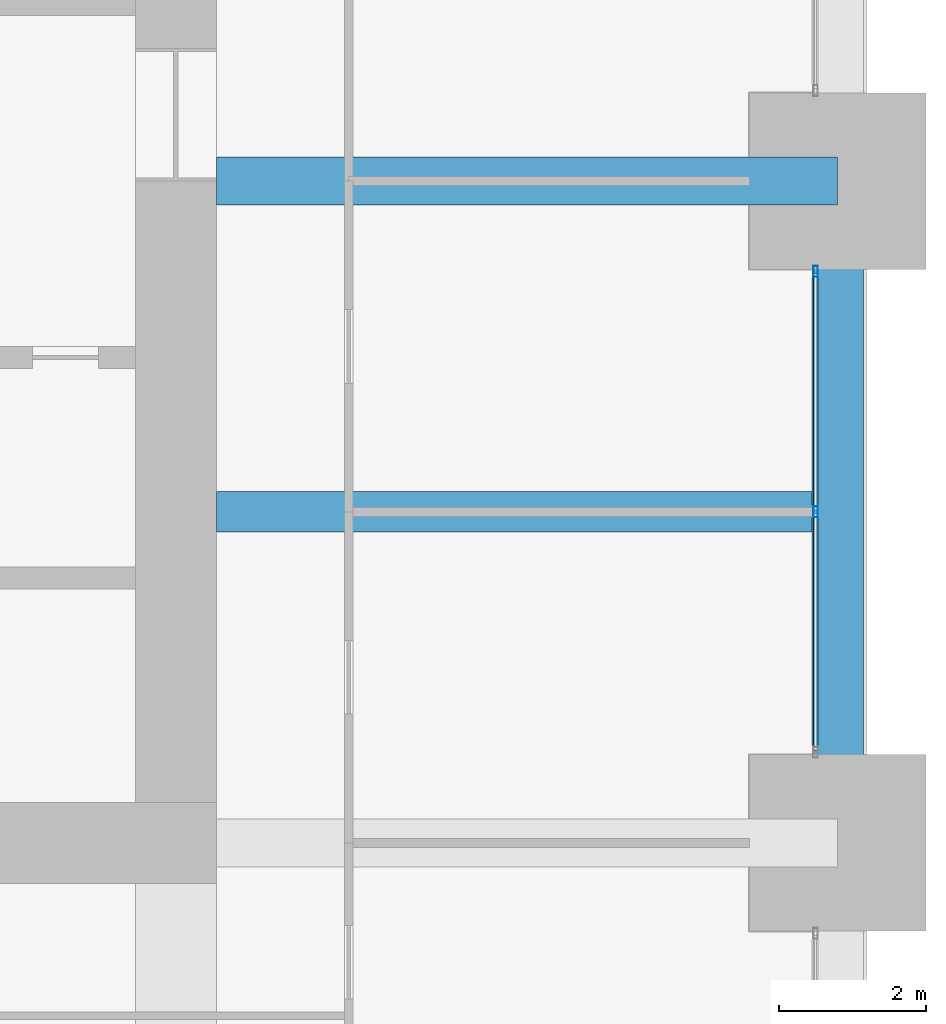
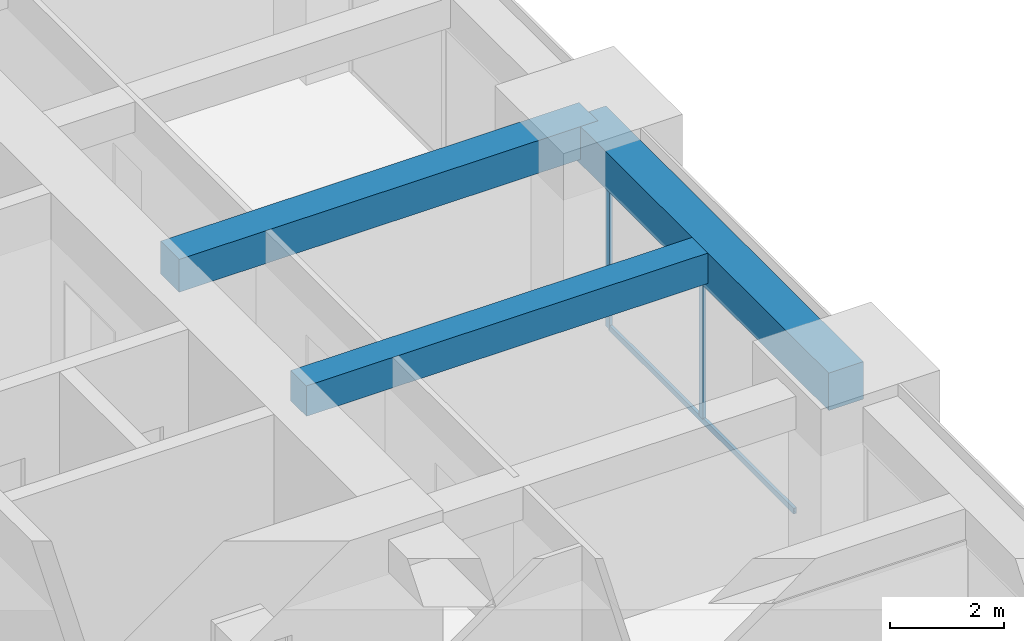
# One storey, part 18 of 32: 3 beams, 3 members, 1 element without a shape of its own.
"""IFC4 building model written with IfcOpenShell, lengths in metres."""

from ifc_helpers import new_model, si_unit, direction, frame, origin, origin_2d, place, context, subcontext, project, spatial, rectangle, hollow_rectangle, extrude, material, material_profile, profile_set, type_object, element, aggregate, save


model = new_model("IFC4")

# Units and contexts
model_context = context("Model", 3, precision=1e-05, world=origin(), true_north=direction((0.0, 1.0)))
body_context = subcontext(model_context, "Body", "Model", "MODEL_VIEW")
ifc_project = project(units=[si_unit("LENGTHUNIT", "METRE"), si_unit("AREAUNIT", "SQUARE_METRE"), si_unit("VOLUMEUNIT", "CUBIC_METRE"), si_unit("PLANEANGLEUNIT", "RADIAN"), si_unit("MASSUNIT", "GRAM", prefix="KILO")], contexts=[model_context])

# Site, building, storey
site_placement = place(None, origin())
site = spatial("IfcSite", under=ifc_project, at=site_placement, CompositionType="ELEMENT")
building_placement = place(site_placement, origin())
building = spatial("IfcBuilding", under=site, at=building_placement, Name="Zorevar Civic Tower", CompositionType="ELEMENT")
storey_placement = place(building_placement, frame((0.0, 0.0, 190.199951171875)))
storey = spatial("IfcBuildingStorey", under=building, at=storey_placement, Name="L46", CompositionType="ELEMENT", Elevation=190.199951171875)

# Beams
ifc_material_1 = material(Name="Concrete C50/60", Category="concrete")
ifc_material_profile_1 = material_profile(ifc_material_1, rectangle(XDim=0.550048828125, YDim=0.64990234375, at=origin_2d()), Name="RC 550x650")
ifc_profile_set_1 = profile_set([ifc_material_profile_1], Name="Concrete C50/60")
beam_type_1 = type_object("IfcBeamType", Name="Beam RC 550x650", PredefinedType="BEAM", material=ifc_profile_set_1)
beam_1_placement = place(storey_placement, frame((45.550048828125, 22.5, 3.425048828125), z_axis=(1.0, 0.0, 0.0), x_axis=(0.0, 1.0, 0.0)))
element("IfcBeam", 1, at=beam_1_placement, inside=storey, type_object=beam_type_1, Name="Secondary beam L47", PredefinedType="BEAM", context=body_context, shape_type="SweptSolid", body=[
    extrude(rectangle(XDim=0.550048828125, YDim=0.64990234375, at=origin_2d()), origin(), (0.0, 0.0, 1.0), 8.099853515625),
])
ifc_material_2 = material(Name="Concrete C50/60", Category="concrete")
ifc_material_profile_2 = material_profile(ifc_material_2, rectangle(XDim=0.64990234375, YDim=0.699951171875, at=origin_2d()), Name="RC 650x700")
ifc_profile_set_2 = profile_set([ifc_material_profile_2], Name="Concrete C50/60")
beam_type_2 = type_object("IfcBeamType", Name="Beam RC 650x700", PredefinedType="BEAM", material=ifc_profile_set_2)
beam_2_placement = place(storey_placement, frame((45.550048828125, 27.0, 3.400146484375), z_axis=(1.0, 0.0, 0.0), x_axis=(0.0, 1.0, 0.0)))
element("IfcBeam", 2, at=beam_2_placement, inside=storey, type_object=beam_type_2, Name="Girder L47", PredefinedType="BEAM", context=body_context, shape_type="SweptSolid", body=[
    extrude(rectangle(XDim=0.64990234375, YDim=0.699951171875, at=origin_2d()), origin(), (0.0, 0.0, 1.0), 8.449951171875),
])

# Curtain wall, members
ifc_material_3 = material(Name="Dark grey solar-control glass in black aluminium frame", Category="aluminium")
curtain_wall_type = type_object("IfcCurtainWallType", Name="Curtain wall CW4 high zone", PredefinedType="NOTDEFINED", material=ifc_material_3)
curtain_wall_placement = place(storey_placement, origin())
curtain_wall = element("IfcCurtainWall", 3, at=curtain_wall_placement, inside=storey, type_object=curtain_wall_type, Name="CW4 L46", PredefinedType="NOTDEFINED")
ifc_material_4 = material(Name="Aluminium, black anodised", Category="aluminium")
ifc_material_profile_3 = material_profile(ifc_material_4, hollow_rectangle(XDim=0.06005859375, YDim=0.14990234375, WallThickness=0.00390625, at=origin_2d()), Name="AL 150x60x4")
ifc_profile_set_3 = profile_set([ifc_material_profile_3], Name="Aluminium, black anodised")
member_type_1 = type_object("IfcMemberType", Name="CW4 mullion AL 150x60x4", PredefinedType="MULLION", material=ifc_profile_set_3)
member_1_placement = place(storey_placement, frame((53.699951171875, 22.5, 0.06005859375), z_axis=(0.0, 0.0, 1.0), x_axis=(-1.0, 0.0, 0.0)))
member_1 = element("IfcMember", 4, at=member_1_placement, type_object=member_type_1, Name="CW4 mullion 2", PredefinedType="MULLION", context=body_context, shape_type="SweptSolid", body=[
    extrude(hollow_rectangle(XDim=0.06005859375, YDim=0.14990234375, WallThickness=0.00390625, at=origin_2d()), origin(), (0.0, 0.0, 1.0), 2.889892578125),
])
member_2_placement = place(storey_placement, frame((53.699951171875, 25.77001953125, 0.0), z_axis=(0.0, 0.0, 1.0), x_axis=(-1.0, 0.0, 0.0)))
member_2 = element("IfcMember", 5, at=member_2_placement, type_object=member_type_1, Name="CW4 mullion 3", PredefinedType="MULLION", context=body_context, shape_type="SweptSolid", body=[
    extrude(hollow_rectangle(XDim=0.06005859375, YDim=0.14990234375, WallThickness=0.00390625, at=origin_2d()), origin(), (0.0, 0.0, 1.0), 2.949951171875),
])
ifc_material_5 = material(Name="Aluminium, black anodised", Category="aluminium")
ifc_material_profile_4 = material_profile(ifc_material_5, hollow_rectangle(XDim=0.06005859375, YDim=0.1201171875, WallThickness=0.0029296875, at=origin_2d()), Name="AL 120x60x3")
ifc_profile_set_4 = profile_set([ifc_material_profile_4], Name="Aluminium, black anodised")
member_type_2 = type_object("IfcMemberType", Name="CW4 transom AL 120x60x3", PredefinedType="USERDEFINED", material=ifc_profile_set_4)
member_3_placement = place(storey_placement, frame((53.699951171875, 19.260009765625, 0.030029296875), z_axis=(0.0, 1.0, 0.0), x_axis=(-1.0, 0.0, 0.0)))
member_3 = element("IfcMember", 6, at=member_3_placement, type_object=member_type_2, Name="CW4 sill transom", ObjectType="TRANSOM", PredefinedType="USERDEFINED", context=body_context, shape_type="SweptSolid", body=[
    extrude(hollow_rectangle(XDim=0.06005859375, YDim=0.1201171875, WallThickness=0.0029296875, at=origin_2d()), origin(), (0.0, 0.0, 1.0), 6.47998046875),
])
aggregate(curtain_wall, [member_1, member_2, member_3])

# Beam
ifc_material_6 = material(Name="Concrete C50/60", Category="concrete")
ifc_material_profile_5 = material_profile(ifc_material_6, rectangle(XDim=0.699951171875, YDim=0.800048828125, at=origin_2d()), Name="RC 700x800")
ifc_profile_set_5 = profile_set([ifc_material_profile_5], Name="Concrete C50/60")
beam_type_3 = type_object("IfcBeamType", Name="Edge beam RC 700x800", PredefinedType="SPANDREL", material=ifc_profile_set_5)
beam_3_placement = place(storey_placement, frame((54.0, 18.0, 3.35009765625), z_axis=(0.0, 1.0, 0.0), x_axis=(-1.0, 0.0, 0.0)))
element("IfcBeam", 7, at=beam_3_placement, inside=storey, type_object=beam_type_3, Name="Edge beam L47", PredefinedType="SPANDREL", context=body_context, shape_type="SweptSolid", body=[
    extrude(rectangle(XDim=0.699951171875, YDim=0.800048828125, at=origin_2d()), origin(), (0.0, 0.0, 1.0), 9.0),
])

save(model, "model.ifc")
